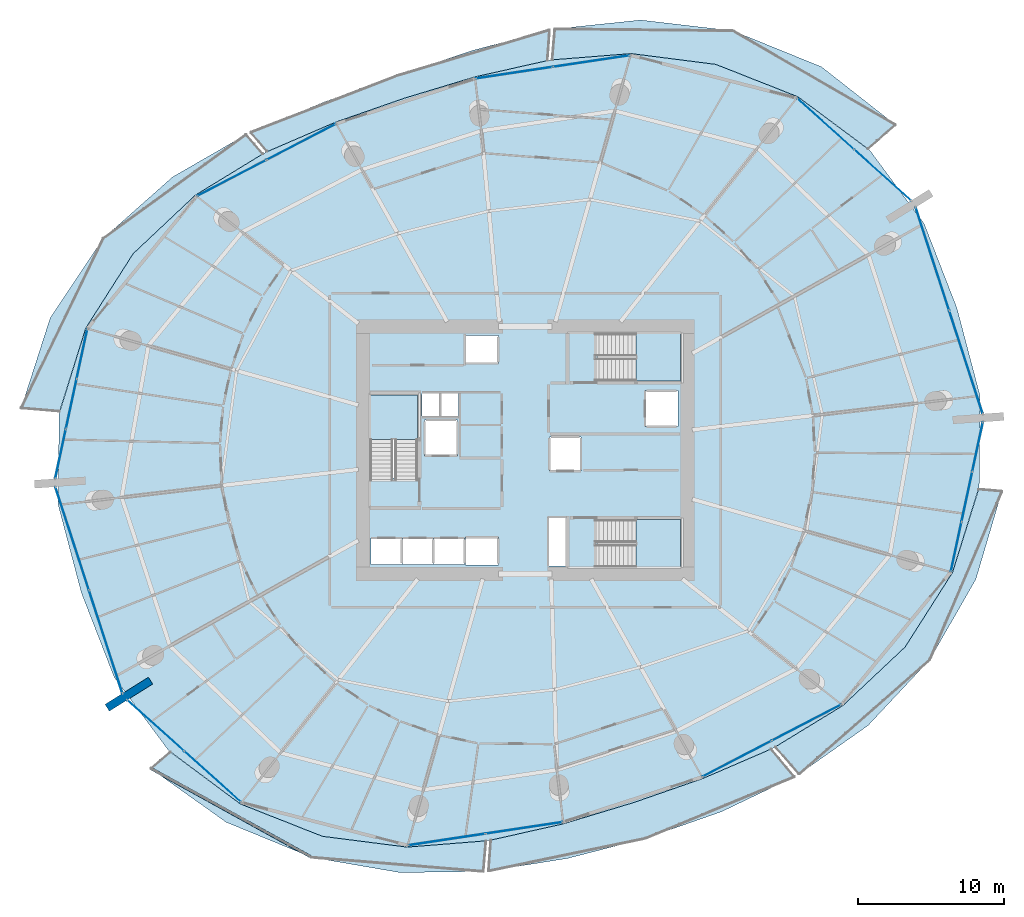
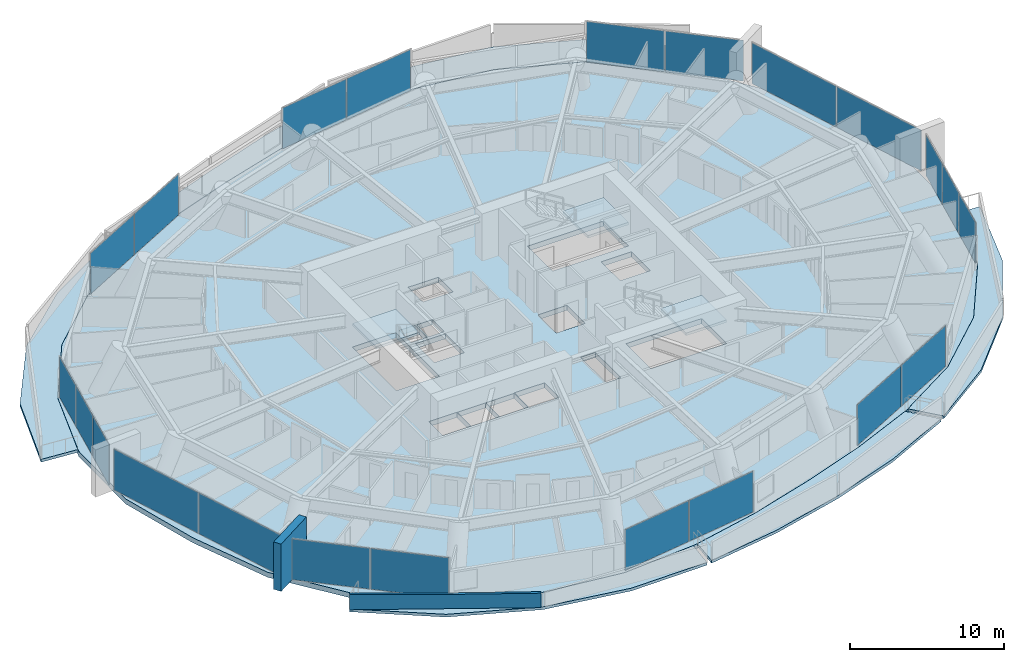
# One storey, part 17 of 31: 22 plates, 10 slabs, 2 walls, 13 elements without a shape of their own.
"""IFC4 building model written with IfcOpenShell, lengths in metres."""

from ifc_helpers import new_model, si_unit, direction, frame, frame_2d, origin, origin_2d, place, context, subcontext, project, spatial, polyline, rectangle, outline, extrude, material, layer, layer_set, type_object, element, aggregate, save


model = new_model("IFC4")

# Units and contexts
model_context = context("Model", 3, precision=1e-05, world=origin(), true_north=direction((0.0, 1.0)))
body_context = subcontext(model_context, "Body", "Model", "MODEL_VIEW")
ifc_project = project(units=[si_unit("LENGTHUNIT", "METRE"), si_unit("AREAUNIT", "SQUARE_METRE"), si_unit("VOLUMEUNIT", "CUBIC_METRE"), si_unit("PLANEANGLEUNIT", "RADIAN"), si_unit("MASSUNIT", "GRAM", prefix="KILO")], contexts=[model_context])

# Site, building, storey
site_placement = place(None, origin())
site = spatial("IfcSite", under=ifc_project, at=site_placement, CompositionType="ELEMENT")
building_placement = place(site_placement, origin())
building = spatial("IfcBuilding", under=site, at=building_placement, Name="Kazma Halo Residences", CompositionType="ELEMENT")
storey_placement = place(building_placement, frame((0.0, 0.0, 71.39990234375)))
storey = spatial("IfcBuildingStorey", under=building, at=storey_placement, Name="L17", CompositionType="ELEMENT", Elevation=71.39990234375)

# Curtain wall, plates
ifc_material_1 = material(Name="Aluminium AW-6063 T6 and Triple-Silver Low-E Glass", Category="aluminium")
ifc_layer_1 = layer(ifc_material_1, 0.159912109375)
ifc_layer_set_1 = layer_set([ifc_layer_1], Name="Aluminium AW-6063 T6 and Triple-Silver Low-E Glass")
curtain_wall_type = type_object("IfcCurtainWallType", Name="CW-SYS-2", PredefinedType="NOTDEFINED", material=ifc_layer_set_1)
curtain_wall_1_placement = place(storey_placement, origin())
curtain_wall_1 = element("IfcCurtainWall", 1, at=curtain_wall_1_placement, inside=storey, type_object=curtain_wall_type, Name="L17 unitised curtain wall B01", PredefinedType="NOTDEFINED")
ifc_material_2 = material(Name="Clear Triple-Silver Low-E Glass IGU", Category="glass")
ifc_layer_2 = layer(ifc_material_2, 0.028076171875)
ifc_layer_set_2 = layer_set([ifc_layer_2], Name="Clear Triple-Silver Low-E Glass IGU")
plate_type = type_object("IfcPlateType", Name="CW-SYS-2-PNL", PredefinedType="CURTAIN_PANEL", material=ifc_layer_set_2)
plate_1_placement = place(storey_placement, frame((72.876953125, 60.841064453125, 0.06005859375), z_axis=(0.0, 0.0, 1.0), x_axis=(-0.744321506993, 0.667821453854, 0.0)))
plate_1 = element("IfcPlate", 2, at=plate_1_placement, type_object=plate_type, Name="CWS-2 panel 1.1", PredefinedType="CURTAIN_PANEL", context=body_context, shape_type="SweptSolid", body=[
    extrude(rectangle(XDim=5.1787109375, YDim=0.028076171875, at=origin_2d()), origin(), (0.0, 0.0, 1.0), 3.22998046875),
])
plate_2_placement = place(storey_placement, frame((68.977783203125, 64.33935546875, 0.06005859375), z_axis=(0.0, 0.0, 1.0), x_axis=(-0.744321506993, 0.667821453854, 0.0)))
plate_2 = element("IfcPlate", 3, at=plate_2_placement, type_object=plate_type, Name="CWS-2 panel 2.1", PredefinedType="CURTAIN_PANEL", context=body_context, shape_type="SweptSolid", body=[
    extrude(rectangle(XDim=5.1787109375, YDim=0.028076171875, at=origin_2d()), origin(), (0.0, 0.0, 1.0), 3.22998046875),
])
aggregate(curtain_wall_1, [plate_1, plate_2])

curtain_wall_2_placement = place(storey_placement, origin())
curtain_wall_2 = element("IfcCurtainWall", 4, at=curtain_wall_2_placement, inside=storey, type_object=curtain_wall_type, Name="L17 unitised curtain wall B03", PredefinedType="NOTDEFINED")
plate_3_placement = place(storey_placement, frame((52.952392578125, 68.64013671875, 0.06005859375), z_axis=(0.0, 0.0, 1.0), x_axis=(-0.988888777994, -0.148657272805, 0.0)))
plate_3 = element("IfcPlate", 5, at=plate_3_placement, type_object=plate_type, Name="CWS-2 panel 1.1", PredefinedType="CURTAIN_PANEL", context=body_context, shape_type="SweptSolid", body=[
    extrude(rectangle(XDim=5.288818359375, YDim=0.028076171875, at=origin_2d()), origin(), (0.0, 0.0, 1.0), 3.22998046875),
])
plate_4_placement = place(storey_placement, frame((47.662841796875, 67.844970703125, 0.06005859375), z_axis=(0.0, 0.0, 1.0), x_axis=(-0.988888777994, -0.148657272805, 0.0)))
plate_4 = element("IfcPlate", 6, at=plate_4_placement, type_object=plate_type, Name="CWS-2 panel 2.1", PredefinedType="CURTAIN_PANEL", context=body_context, shape_type="SweptSolid", body=[
    extrude(rectangle(XDim=5.288818359375, YDim=0.028076171875, at=origin_2d()), origin(), (0.0, 0.0, 1.0), 3.22998046875),
])
aggregate(curtain_wall_2, [plate_3, plate_4])

curtain_wall_3_placement = place(storey_placement, origin())
curtain_wall_3 = element("IfcCurtainWall", 7, at=curtain_wall_3_placement, inside=storey, type_object=curtain_wall_type, Name="L17 unitised curtain wall B05", PredefinedType="NOTDEFINED")
plate_5_placement = place(storey_placement, frame((33.081298828125, 63.107177734375, 0.06005859375), z_axis=(0.0, 0.0, 1.0), x_axis=(-0.887402258584, -0.460995912628, 0.0)))
plate_5 = element("IfcPlate", 8, at=plate_5_placement, type_object=plate_type, Name="CWS-2 panel 1.1", PredefinedType="CURTAIN_PANEL", context=body_context, shape_type="SweptSolid", body=[
    extrude(rectangle(XDim=5.288818359375, YDim=0.028076171875, at=origin_2d()), origin(), (0.0, 0.0, 1.0), 3.22998046875),
])
plate_6_placement = place(storey_placement, frame((28.334716796875, 60.641357421875, 0.06005859375), z_axis=(0.0, 0.0, 1.0), x_axis=(-0.887402258584, -0.460995912628, 0.0)))
plate_6 = element("IfcPlate", 9, at=plate_6_placement, type_object=plate_type, Name="CWS-2 panel 2.1", PredefinedType="CURTAIN_PANEL", context=body_context, shape_type="SweptSolid", body=[
    extrude(rectangle(XDim=5.288818359375, YDim=0.028076171875, at=origin_2d()), origin(), (0.0, 0.0, 1.0), 3.22998046875),
])
aggregate(curtain_wall_3, [plate_5, plate_6])

curtain_wall_4_placement = place(storey_placement, origin())
curtain_wall_4 = element("IfcCurtainWall", 10, at=curtain_wall_4_placement, inside=storey, type_object=curtain_wall_type, Name="L17 unitised curtain wall B07", PredefinedType="NOTDEFINED")
plate_7_placement = place(storey_placement, frame((18.08203125, 48.60107421875, 0.06005859375), z_axis=(0.0, 0.0, 1.0), x_axis=(-0.209637321406, -0.977779215096, 0.0)))
plate_7 = element("IfcPlate", 11, at=plate_7_placement, type_object=plate_type, Name="CWS-2 panel 1.1", PredefinedType="CURTAIN_PANEL", context=body_context, shape_type="SweptSolid", body=[
    extrude(rectangle(XDim=3.42236328125, YDim=0.028076171875, at=origin_2d()), origin(), (0.0, 0.0, 1.0), 3.22998046875),
])
plate_8_placement = place(storey_placement, frame((17.348876953125, 45.181396484375, 0.06005859375), z_axis=(0.0, 0.0, 1.0), x_axis=(-0.209637321406, -0.977779215096, 0.0)))
plate_8 = element("IfcPlate", 12, at=plate_8_placement, type_object=plate_type, Name="CWS-2 panel 2.1", PredefinedType="CURTAIN_PANEL", context=body_context, shape_type="SweptSolid", body=[
    extrude(rectangle(XDim=3.452392578125, YDim=0.028076171875, at=origin_2d()), origin(), (0.0, 0.0, 1.0), 3.22998046875),
])
plate_9_placement = place(storey_placement, frame((16.61572265625, 41.76171875, 0.06005859375), z_axis=(0.0, 0.0, 1.0), x_axis=(-0.209637321406, -0.977779215096, 0.0)))
plate_9 = element("IfcPlate", 13, at=plate_9_placement, type_object=plate_type, Name="CWS-2 panel 3.1", PredefinedType="CURTAIN_PANEL", context=body_context, shape_type="SweptSolid", body=[
    extrude(rectangle(XDim=3.42236328125, YDim=0.028076171875, at=origin_2d()), origin(), (0.0, 0.0, 1.0), 3.22998046875),
])
aggregate(curtain_wall_4, [plate_7, plate_8, plate_9])

curtain_wall_5_placement = place(storey_placement, origin())
curtain_wall_5 = element("IfcCurtainWall", 14, at=curtain_wall_5_placement, inside=storey, type_object=curtain_wall_type, Name="L17 unitised curtain wall B08", PredefinedType="NOTDEFINED")
plate_10_placement = place(storey_placement, frame((17.409912109375, 35.96728515625, 0.06005859375), z_axis=(0.0, 0.0, 1.0), x_axis=(0.309016970539, -0.95105652404, 0.0)))
plate_10 = element("IfcPlate", 15, at=plate_10_placement, type_object=plate_type, Name="CWS-2 panel 1.1", PredefinedType="CURTAIN_PANEL", context=body_context, shape_type="SweptSolid", body=[
    extrude(rectangle(XDim=7.370849609375, YDim=0.028076171875, at=origin_2d()), origin(), (0.0, 0.0, 1.0), 3.22998046875),
])
plate_11_placement = place(storey_placement, frame((19.7060546875, 28.900146484375, 0.06005859375), z_axis=(0.0, 0.0, 1.0), x_axis=(0.309016970539, -0.95105652404, 0.0)))
plate_11 = element("IfcPlate", 16, at=plate_11_placement, type_object=plate_type, Name="CWS-2 panel 2.1", PredefinedType="CURTAIN_PANEL", context=body_context, shape_type="SweptSolid", body=[
    extrude(rectangle(XDim=7.370849609375, YDim=0.028076171875, at=origin_2d()), origin(), (0.0, 0.0, 1.0), 3.22998046875),
])
aggregate(curtain_wall_5, [plate_10, plate_11])

curtain_wall_6_placement = place(storey_placement, origin())
curtain_wall_6 = element("IfcCurtainWall", 17, at=curtain_wall_6_placement, inside=storey, type_object=curtain_wall_type, Name="L17 unitised curtain wall B09", PredefinedType="NOTDEFINED")
plate_12_placement = place(storey_placement, frame((23.123046875, 23.158935546875, 0.06005859375), z_axis=(0.0, 0.0, 1.0), x_axis=(0.744321506993, -0.667821453854, 0.0)))
plate_12 = element("IfcPlate", 18, at=plate_12_placement, type_object=plate_type, Name="CWS-2 panel 1.1", PredefinedType="CURTAIN_PANEL", context=body_context, shape_type="SweptSolid", body=[
    extrude(rectangle(XDim=5.1787109375, YDim=0.028076171875, at=origin_2d()), origin(), (0.0, 0.0, 1.0), 3.22998046875),
])
plate_13_placement = place(storey_placement, frame((27.022216796875, 19.66064453125, 0.06005859375), z_axis=(0.0, 0.0, 1.0), x_axis=(0.744321506993, -0.667821453854, 0.0)))
plate_13 = element("IfcPlate", 19, at=plate_13_placement, type_object=plate_type, Name="CWS-2 panel 2.1", PredefinedType="CURTAIN_PANEL", context=body_context, shape_type="SweptSolid", body=[
    extrude(rectangle(XDim=5.1787109375, YDim=0.028076171875, at=origin_2d()), origin(), (0.0, 0.0, 1.0), 3.22998046875),
])
aggregate(curtain_wall_6, [plate_12, plate_13])

curtain_wall_7_placement = place(storey_placement, origin())
curtain_wall_7 = element("IfcCurtainWall", 20, at=curtain_wall_7_placement, inside=storey, type_object=curtain_wall_type, Name="L17 unitised curtain wall B11", PredefinedType="NOTDEFINED")
plate_14_placement = place(storey_placement, frame((43.047607421875, 15.35986328125, 0.06005859375), z_axis=(0.0, 0.0, 1.0), x_axis=(0.988888777994, 0.148657272805, 0.0)))
plate_14 = element("IfcPlate", 21, at=plate_14_placement, type_object=plate_type, Name="CWS-2 panel 1.1", PredefinedType="CURTAIN_PANEL", context=body_context, shape_type="SweptSolid", body=[
    extrude(rectangle(XDim=5.288818359375, YDim=0.028076171875, at=origin_2d()), origin(), (0.0, 0.0, 1.0), 3.22998046875),
])
plate_15_placement = place(storey_placement, frame((48.337158203125, 16.155029296875, 0.06005859375), z_axis=(0.0, 0.0, 1.0), x_axis=(0.988888777994, 0.148657272805, 0.0)))
plate_15 = element("IfcPlate", 22, at=plate_15_placement, type_object=plate_type, Name="CWS-2 panel 2.1", PredefinedType="CURTAIN_PANEL", context=body_context, shape_type="SweptSolid", body=[
    extrude(rectangle(XDim=5.288818359375, YDim=0.028076171875, at=origin_2d()), origin(), (0.0, 0.0, 1.0), 3.22998046875),
])
aggregate(curtain_wall_7, [plate_14, plate_15])

curtain_wall_8_placement = place(storey_placement, origin())
curtain_wall_8 = element("IfcCurtainWall", 23, at=curtain_wall_8_placement, inside=storey, type_object=curtain_wall_type, Name="L17 unitised curtain wall B13", PredefinedType="NOTDEFINED")
plate_16_placement = place(storey_placement, frame((62.918701171875, 20.892822265625, 0.06005859375), z_axis=(0.0, 0.0, 1.0), x_axis=(0.887402258584, 0.460995912628, 0.0)))
plate_16 = element("IfcPlate", 24, at=plate_16_placement, type_object=plate_type, Name="CWS-2 panel 1.1", PredefinedType="CURTAIN_PANEL", context=body_context, shape_type="SweptSolid", body=[
    extrude(rectangle(XDim=5.288818359375, YDim=0.028076171875, at=origin_2d()), origin(), (0.0, 0.0, 1.0), 3.22998046875),
])
plate_17_placement = place(storey_placement, frame((67.665283203125, 23.358642578125, 0.06005859375), z_axis=(0.0, 0.0, 1.0), x_axis=(0.887402258584, 0.460995912628, 0.0)))
plate_17 = element("IfcPlate", 25, at=plate_17_placement, type_object=plate_type, Name="CWS-2 panel 2.1", PredefinedType="CURTAIN_PANEL", context=body_context, shape_type="SweptSolid", body=[
    extrude(rectangle(XDim=5.288818359375, YDim=0.028076171875, at=origin_2d()), origin(), (0.0, 0.0, 1.0), 3.22998046875),
])
aggregate(curtain_wall_8, [plate_16, plate_17])

curtain_wall_9_placement = place(storey_placement, origin())
curtain_wall_9 = element("IfcCurtainWall", 26, at=curtain_wall_9_placement, inside=storey, type_object=curtain_wall_type, Name="L17 unitised curtain wall B15", PredefinedType="NOTDEFINED")
plate_18_placement = place(storey_placement, frame((77.91796875, 35.39892578125, 0.06005859375), z_axis=(0.0, 0.0, 1.0), x_axis=(0.209637321406, 0.977779215096, 0.0)))
plate_18 = element("IfcPlate", 27, at=plate_18_placement, type_object=plate_type, Name="CWS-2 panel 1.1", PredefinedType="CURTAIN_PANEL", context=body_context, shape_type="SweptSolid", body=[
    extrude(rectangle(XDim=3.42236328125, YDim=0.028076171875, at=origin_2d()), origin(), (0.0, 0.0, 1.0), 3.22998046875),
])
plate_19_placement = place(storey_placement, frame((78.651123046875, 38.818603515625, 0.06005859375), z_axis=(0.0, 0.0, 1.0), x_axis=(0.209637321406, 0.977779215096, 0.0)))
plate_19 = element("IfcPlate", 28, at=plate_19_placement, type_object=plate_type, Name="CWS-2 panel 2.1", PredefinedType="CURTAIN_PANEL", context=body_context, shape_type="SweptSolid", body=[
    extrude(rectangle(XDim=3.452392578125, YDim=0.028076171875, at=origin_2d()), origin(), (0.0, 0.0, 1.0), 3.22998046875),
])
plate_20_placement = place(storey_placement, frame((79.38427734375, 42.23828125, 0.06005859375), z_axis=(0.0, 0.0, 1.0), x_axis=(0.209637321406, 0.977779215096, 0.0)))
plate_20 = element("IfcPlate", 29, at=plate_20_placement, type_object=plate_type, Name="CWS-2 panel 3.1", PredefinedType="CURTAIN_PANEL", context=body_context, shape_type="SweptSolid", body=[
    extrude(rectangle(XDim=3.42236328125, YDim=0.028076171875, at=origin_2d()), origin(), (0.0, 0.0, 1.0), 3.22998046875),
])
aggregate(curtain_wall_9, [plate_18, plate_19, plate_20])

curtain_wall_10_placement = place(storey_placement, origin())
curtain_wall_10 = element("IfcCurtainWall", 30, at=curtain_wall_10_placement, inside=storey, type_object=curtain_wall_type, Name="L17 unitised curtain wall B16", PredefinedType="NOTDEFINED")
plate_21_placement = place(storey_placement, frame((78.590087890625, 48.03271484375, 0.06005859375), z_axis=(0.0, 0.0, 1.0), x_axis=(-0.309016970539, 0.95105652404, 0.0)))
plate_21 = element("IfcPlate", 31, at=plate_21_placement, type_object=plate_type, Name="CWS-2 panel 1.1", PredefinedType="CURTAIN_PANEL", context=body_context, shape_type="SweptSolid", body=[
    extrude(rectangle(XDim=7.370849609375, YDim=0.028076171875, at=origin_2d()), origin(), (0.0, 0.0, 1.0), 3.22998046875),
])
plate_22_placement = place(storey_placement, frame((76.2939453125, 55.099853515625, 0.06005859375), z_axis=(0.0, 0.0, 1.0), x_axis=(-0.309016970539, 0.95105652404, 0.0)))
plate_22 = element("IfcPlate", 32, at=plate_22_placement, type_object=plate_type, Name="CWS-2 panel 2.1", PredefinedType="CURTAIN_PANEL", context=body_context, shape_type="SweptSolid", body=[
    extrude(rectangle(XDim=7.370849609375, YDim=0.028076171875, at=origin_2d()), origin(), (0.0, 0.0, 1.0), 3.22998046875),
])
aggregate(curtain_wall_10, [plate_21, plate_22])

# Slabs
ifc_material_3 = material(Name="White Concrete C50/60", Category="concrete")
ifc_layer_3 = layer(ifc_material_3, 0.219970703125)
ifc_layer_set_3 = layer_set([ifc_layer_3], Name="White Concrete C50/60")
slab_type_1 = type_object("IfcSlabType", Name="SLB-BAL-WAVE-210", PredefinedType="FLOOR", material=ifc_layer_set_3)
slab_1_placement = place(storey_placement, frame((0.0, 0.0, -0.219970703125)))
element("IfcSlab", 33, at=slab_1_placement, inside=storey, type_object=slab_type_1, Name="L17 NE cantilevered wave balcony slab", PredefinedType="FLOOR", context=body_context, shape_type="SweptSolid", body=[
    extrude(outline(polyline([(71.875732421875, 62.645263671875), (67.081298828125, 66.20458984375), (61.461669921875, 68.420166015625), (55.659912109375, 69.15966796875), (50.26806640625, 68.729736328125), (50.447265625, 70.84228515625), (56.3076171875, 71.456787109375), (62.63232421875, 70.717529296875), (68.69580078125, 68.252685546875), (73.763916015625, 64.278076171875), (71.875732421875, 62.645263671875)])), origin(), (0.0, 0.0, 1.0), 0.219970703125),
])
slab_2_placement = place(storey_placement, frame((0.0, 0.0, -0.219970703125)))
element("IfcSlab", 34, at=slab_2_placement, inside=storey, type_object=slab_type_1, Name="L17 NNW cantilevered wave balcony slab", PredefinedType="FLOOR", context=body_context, shape_type="SweptSolid", body=[
    extrude(outline(polyline([(49.935791015625, 68.679931640625), (44.974365234375, 67.564208984375), (40.165771484375, 66.111083984375), (35.421630859375, 64.460205078125), (30.751708984375, 62.44677734375), (29.635498046875, 63.77001953125), (34.645751953125, 65.845703125), (39.666015625, 67.649658203125), (44.76171875, 69.360595703125), (50.08740234375, 70.7705078125), (49.935791015625, 68.679931640625)])), origin(), (0.0, 0.0, 1.0), 0.219970703125),
])
slab_3_placement = place(storey_placement, frame((0.0, 0.0, -0.219970703125)))
element("IfcSlab", 35, at=slab_3_placement, inside=storey, type_object=slab_type_1, Name="L17 NW cantilevered wave balcony slab", PredefinedType="FLOOR", context=body_context, shape_type="SweptSolid", body=[
    extrude(outline(polyline([(30.453857421875, 62.29150390625), (25.839111328125, 59.47021484375), (21.579833984375, 55.461669921875), (18.3359375, 50.3662109375), (16.54931640625, 44.668701171875), (13.9169921875, 44.89208984375), (15.900390625, 51.052978515625), (19.533203125, 56.50439453125), (24.271240234375, 60.706298828125), (29.309326171875, 63.615234375), (30.453857421875, 62.29150390625)])), origin(), (0.0, 0.0, 1.0), 0.219970703125),
])
slab_4_placement = place(storey_placement, frame((0.0, 0.0, -0.219970703125)))
element("IfcSlab", 36, at=slab_4_placement, inside=storey, type_object=slab_type_1, Name="L17 SW cantilevered wave balcony slab", PredefinedType="FLOOR", context=body_context, shape_type="SweptSolid", body=[
    extrude(outline(polyline([(24.124267578125, 21.354736328125), (28.918701171875, 17.79541015625), (34.538330078125, 15.579833984375), (40.340087890625, 14.84033203125), (45.73193359375, 15.270263671875), (45.55419921875, 13.1767578125), (39.84912109375, 13.09912109375), (33.803955078125, 14.138671875), (27.935546875, 16.54833984375), (22.802490234375, 20.2119140625), (24.124267578125, 21.354736328125)])), origin(), (0.0, 0.0, 1.0), 0.219970703125),
])
slab_5_placement = place(storey_placement, frame((0.0, 0.0, -0.219970703125)))
element("IfcSlab", 37, at=slab_5_placement, inside=storey, type_object=slab_type_1, Name="L17 SSE cantilevered wave balcony slab", PredefinedType="FLOOR", context=body_context, shape_type="SweptSolid", body=[
    extrude(outline(polyline([(46.064208984375, 15.320068359375), (51.025634765625, 16.435791015625), (55.834228515625, 17.888916015625), (60.578369140625, 19.539794921875), (65.248291015625, 21.55322265625), (66.847412109375, 19.65771484375), (61.852783203125, 17.26416015625), (56.631103515625, 15.4365234375), (51.306396484375, 14.0654296875), (45.9111328125, 13.21044921875), (46.064208984375, 15.320068359375)])), origin(), (0.0, 0.0, 1.0), 0.219970703125),
])
slab_6_placement = place(storey_placement, frame((0.0, 0.0, -0.219970703125)))
element("IfcSlab", 38, at=slab_6_placement, inside=storey, type_object=slab_type_1, Name="L17 SE cantilevered wave balcony slab", PredefinedType="FLOOR", context=body_context, shape_type="SweptSolid", body=[
    extrude(outline(polyline([(65.546142578125, 21.70849609375), (70.160888671875, 24.52978515625), (74.420166015625, 28.538330078125), (77.6640625, 33.6337890625), (79.45068359375, 39.331298828125), (81.046875, 39.19580078125), (79.26708984375, 33.181640625), (76.1123046875, 27.676025390625), (71.88818359375, 23.168212890625), (67.162841796875, 19.8388671875), (65.546142578125, 21.70849609375)])), origin(), (0.0, 0.0, 1.0), 0.219970703125),
])

# Stair, slab
ifc_material_4 = material(Name="Concrete C50/60", Category="concrete")
stair_type = type_object("IfcStairType", Name="STR-RES1", PredefinedType="HALF_TURN_STAIR", material=ifc_material_4)
stair_1_placement = place(storey_placement, origin())
stair_1 = element("IfcStair", 39, at=stair_1_placement, inside=storey, type_object=stair_type, Name="L17 Core exit stair ST-01", PredefinedType="HALF_TURN_STAIR")
ifc_layer_4 = layer(ifc_material_4, 0.199951171875)
ifc_layer_set_4 = layer_set([ifc_layer_4], Name="Concrete C50/60")
slab_type_2 = type_object("IfcSlabType", Name="SLB-STAIR-LND-200", PredefinedType="LANDING", material=ifc_layer_set_4)
slab_7_placement = place(storey_placement, frame((0.0, 0.0, 1.675048828125)))
slab_7 = element("IfcSlab", 40, at=slab_7_placement, type_object=slab_type_2, Name="ST-01 landing 1", PredefinedType="LANDING", context=body_context, shape_type="SweptSolid", body=[
    extrude(outline(polyline([(41.050048828125, 42.75), (41.050048828125, 45.800048828125), (37.800048828125, 45.800048828125), (37.800048828125, 42.75), (41.050048828125, 42.75)])), origin(), (0.0, 0.0, 1.0), 0.199951171875),
])
aggregate(stair_1, [slab_7])

stair_2_placement = place(storey_placement, origin())
stair_2 = element("IfcStair", 41, at=stair_2_placement, inside=storey, type_object=stair_type, Name="L17 Core exit stair ST-02", PredefinedType="HALF_TURN_STAIR")
slab_8_placement = place(storey_placement, frame((0.0, 0.0, 1.675048828125)))
slab_8 = element("IfcSlab", 42, at=slab_8_placement, type_object=slab_type_2, Name="ST-02 landing 1", PredefinedType="LANDING", context=body_context, shape_type="SweptSolid", body=[
    extrude(outline(polyline([(56.0, 46.75), (59.050048828125, 46.75), (59.050048828125, 50.0), (56.0, 50.0), (56.0, 46.75)])), origin(), (0.0, 0.0, 1.0), 0.199951171875),
])
aggregate(stair_2, [slab_8])

stair_3_placement = place(storey_placement, origin())
stair_3 = element("IfcStair", 43, at=stair_3_placement, inside=storey, type_object=stair_type, Name="L17 Core exit stair ST-03", PredefinedType="HALF_TURN_STAIR")
slab_9_placement = place(storey_placement, frame((0.0, 0.0, 1.675048828125)))
slab_9 = element("IfcSlab", 44, at=slab_9_placement, type_object=slab_type_2, Name="ST-03 landing 1", PredefinedType="LANDING", context=body_context, shape_type="SweptSolid", body=[
    extrude(outline(polyline([(56.0, 34.0), (59.050048828125, 34.0), (59.050048828125, 37.25), (56.0, 37.25), (56.0, 34.0)])), origin(), (0.0, 0.0, 1.0), 0.199951171875),
])
aggregate(stair_3, [slab_9])

# Slab
ifc_material_5 = material(Name="Concrete C60/75", Category="concrete")
ifc_layer_5 = layer(ifc_material_5, 0.39990234375)
ifc_layer_set_5 = layer_set([ifc_layer_5], Name="Concrete C60/75")
slab_type_3 = type_object("IfcSlabType", Name="SLB-TRANS-400", PredefinedType="FLOOR", material=ifc_layer_set_5)
slab_10_placement = place(storey_placement, frame((0.0, 0.0, -0.39990234375)))
element("IfcSlab", 45, at=slab_10_placement, inside=storey, type_object=slab_type_3, Name="L17 structural floor slab", PredefinedType="FLOOR", context=body_context, shape_type="SweptSolid", body=[
    extrude(outline(polyline([(77.9677734375, 51.737060546875), (75.719970703125, 57.52392578125), (72.02099609375, 62.51611328125), (67.080078125, 66.202880859375), (61.460693359375, 68.418212890625), (55.6591796875, 69.15771484375), (50.102294921875, 68.713134765625), (44.974609375, 67.562255859375), (40.16650390625, 66.109375), (35.422607421875, 64.45849609375), (30.597412109375, 62.375732421875), (25.8408203125, 59.468994140625), (21.581787109375, 55.460693359375), (18.337890625, 50.365478515625), (16.507568359375, 44.478515625), (16.449462890625, 38.265625), (18.0322265625, 32.262939453125), (20.280029296875, 26.47607421875), (23.97900390625, 21.48388671875), (28.919921875, 17.797119140625), (34.539306640625, 15.581787109375), (40.3408203125, 14.84228515625), (45.897705078125, 15.286865234375), (51.025390625, 16.437744140625), (55.83349609375, 17.890625), (60.577392578125, 19.54150390625), (65.402587890625, 21.624267578125), (70.1591796875, 24.531005859375), (74.418212890625, 28.539306640625), (77.662109375, 33.634521484375), (79.492431640625, 39.521484375), (79.550537109375, 45.734375), (77.9677734375, 51.737060546875)]), holes=[polyline([(37.800048828125, 40.110107421875), (41.050048828125, 40.110107421875), (41.050048828125, 45.800048828125), (37.800048828125, 45.800048828125), (37.800048828125, 40.110107421875)]), polyline([(53.360107421875, 46.75), (59.050048828125, 46.75), (59.050048828125, 50.0), (53.360107421875, 50.0), (53.360107421875, 46.75)]), polyline([(53.360107421875, 34.0), (59.050048828125, 34.0), (59.050048828125, 37.25), (53.360107421875, 37.25), (53.360107421875, 34.0)]), polyline([(41.52001953125, 41.6201171875), (43.780029296875, 41.6201171875), (43.780029296875, 44.080078125), (41.52001953125, 44.080078125), (41.52001953125, 41.6201171875)]), polyline([(56.6201171875, 43.6201171875), (58.8798828125, 43.6201171875), (58.8798828125, 46.080078125), (56.6201171875, 46.080078125), (56.6201171875, 43.6201171875)]), polyline([(37.864990234375, 34.195068359375), (39.97509765625, 34.195068359375), (39.97509765625, 36.0048828125), (37.864990234375, 36.0048828125), (37.864990234375, 34.195068359375)]), polyline([(40.014892578125, 34.195068359375), (42.125, 34.195068359375), (42.125, 36.0048828125), (40.014892578125, 36.0048828125), (40.014892578125, 34.195068359375)]), polyline([(42.1650390625, 34.195068359375), (44.27490234375, 34.195068359375), (44.27490234375, 36.0048828125), (42.1650390625, 36.0048828125), (42.1650390625, 34.195068359375)]), polyline([(44.320068359375, 47.945068359375), (46.580078125, 47.945068359375), (46.580078125, 49.85498046875), (44.320068359375, 49.85498046875), (44.320068359375, 47.945068359375)]), polyline([(44.320068359375, 34.14501953125), (46.580078125, 34.14501953125), (46.580078125, 36.054931640625), (44.320068359375, 36.054931640625), (44.320068359375, 34.14501953125)]), polyline([(50.070068359375, 40.570068359375), (52.22998046875, 40.570068359375), (52.22998046875, 42.929931640625), (50.070068359375, 42.929931640625), (50.070068359375, 40.570068359375)]), polyline([(41.360107421875, 44.340087890625), (42.5400390625, 44.340087890625), (42.5400390625, 45.89990234375), (41.360107421875, 45.89990234375), (41.360107421875, 44.340087890625)]), polyline([(42.659912109375, 44.340087890625), (43.840087890625, 44.340087890625), (43.840087890625, 45.89990234375), (42.659912109375, 45.89990234375), (42.659912109375, 44.340087890625)]), polyline([(50.06005859375, 34.080078125), (51.159912109375, 34.080078125), (51.159912109375, 37.3798828125), (50.06005859375, 37.3798828125), (50.06005859375, 34.080078125)])]), origin(), (0.0, 0.0, 1.0), 0.39990234375),
])

# Walls
ifc_material_6 = material(Name="White Concrete C50/60 Balustrade", Category="concrete")
ifc_layer_6 = layer(ifc_material_6, 0.179931640625)
ifc_layer_set_6 = layer_set([ifc_layer_6], Name="White Concrete C50/60 Balustrade")
wall_type_1 = type_object("IfcWallType", Name="WL-BAL-WAVE-180", PredefinedType="PARAPET", material=ifc_layer_set_6)
wall_1_placement = place(storey_placement, frame((22.802490234375, 20.2119140625, 0.0), z_axis=(0.0, 0.0, 1.0), x_axis=(0.875453203816, -0.483302894599, 0.0)))
element("IfcWall", 46, at=wall_1_placement, inside=storey, type_object=wall_type_1, Name="L17 white wave balustrade wall SW.1", PredefinedType="PARAPET", context=body_context, shape_type="SweptSolid", body=[
    extrude(outline(polyline([(0.0, 0.0), (12.4462890625, 0.0), (12.4462890625, 1.148193359375), (6.22314453125, 1.127197265625), (0.0, 1.22412109375), (0.0, 0.0)])), frame((0.0, 0.08984375, 0.0), z_axis=(0.0, -1.0, 0.0), x_axis=(1.0, 0.0, 0.0)), (0.0, 0.0, 1.0), 0.179931640625),
])
ifc_material_7 = material(Name="Pale Concrete C60/75", Category="concrete")
ifc_layer_7 = layer(ifc_material_7, 0.550048828125)
ifc_layer_set_7 = layer_set([ifc_layer_7], Name="Pale Concrete C60/75")
wall_type_2 = type_object("IfcWallType", Name="WL-BLADE-550", PredefinedType="SOLIDWALL", material=ifc_layer_set_7)
wall_2_placement = place(storey_placement, frame((22.770263671875, 26.234619140625, 0.0), z_axis=(0.0, 0.0, 1.0), x_axis=(-0.848053161125, -0.529911158502, 0.0)))
element("IfcWall", 47, at=wall_2_placement, inside=storey, type_object=wall_type_2, Name="L17 pale concrete structural blade fin wall BW-03", PredefinedType="SOLIDWALL", context=body_context, shape_type="SweptSolid", body=[
    extrude(rectangle(XDim=3.5, YDim=0.550048828125, at=frame_2d((1.75, 0.0))), origin(), (0.0, 0.0, 1.0), 3.75),
])

save(model, "model.ifc")
